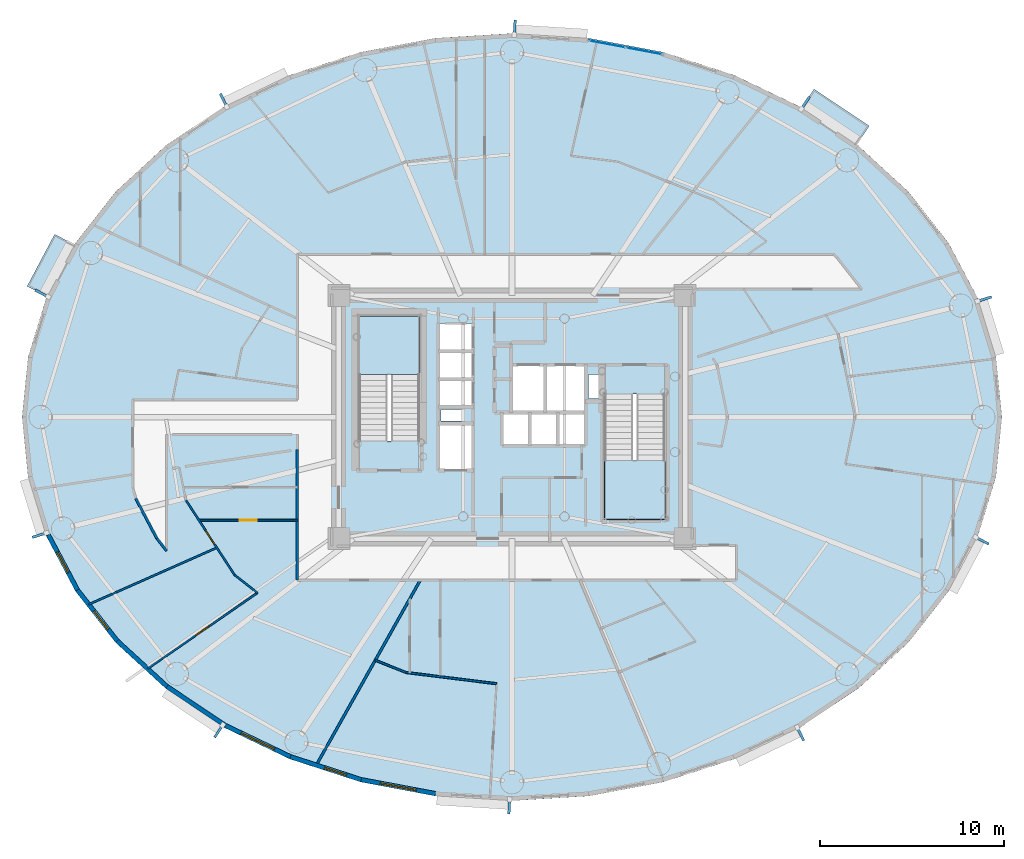
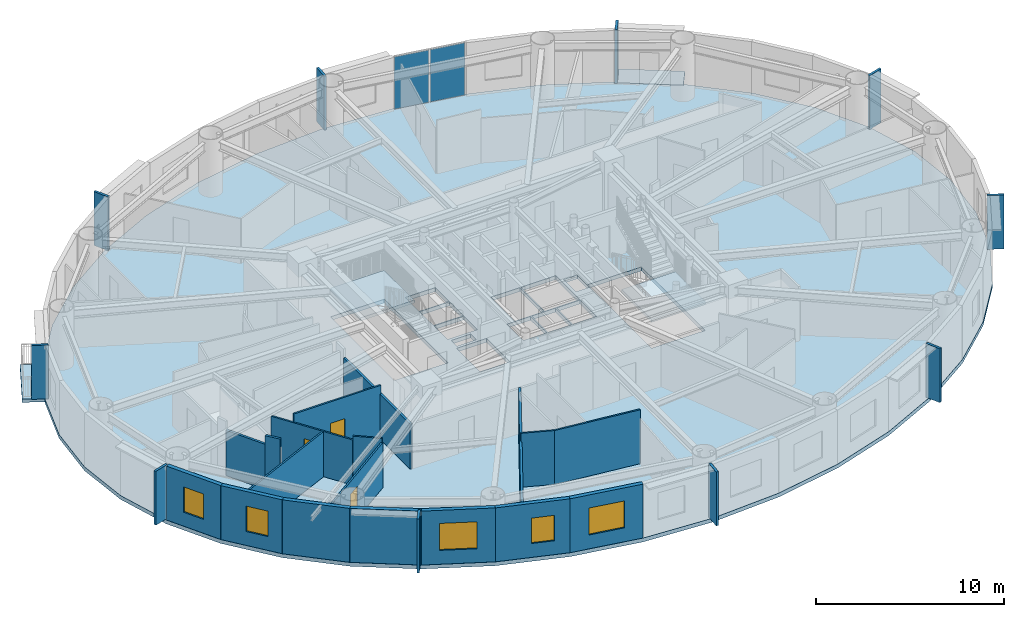
# One storey, part 7 of 20: 18 walls, 12 plates, 5 slabs, 5 windows, 3 doors, 8 openings, 3 elements without a shape of their own.
"""IFC4 building model written with IfcOpenShell, lengths in metres."""

from ifc_helpers import new_model, si_unit, direction, frame, frame_2d, origin, origin_2d, place, context, subcontext, project, spatial, polyline, rectangle, outline, extrude, source, transform, mapped, material, layer, layer_set, type_object, element, fill, aggregate, save


model = new_model("IFC4")

# Units and contexts
model_context = context("Model", 3, precision=1e-05, world=origin(), true_north=direction((0.0, 1.0)))
body_context = subcontext(model_context, "Body", "Model", "MODEL_VIEW")
ifc_project = project(units=[si_unit("LENGTHUNIT", "METRE"), si_unit("AREAUNIT", "SQUARE_METRE"), si_unit("VOLUMEUNIT", "CUBIC_METRE"), si_unit("PLANEANGLEUNIT", "RADIAN"), si_unit("MASSUNIT", "GRAM", prefix="KILO")], contexts=[model_context])

# Site, building, storey
site_placement = place(None, origin())
site = spatial("IfcSite", under=ifc_project, at=site_placement, CompositionType="ELEMENT")
building_placement = place(site_placement, origin())
building = spatial("IfcBuilding", under=site, at=building_placement, Name="Linh Dai School and Residence Tower", CompositionType="ELEMENT")
storey_placement = place(building_placement, frame((0.0, 0.0, 163.64990234375)))
storey = spatial("IfcBuildingStorey", under=building, at=storey_placement, Name="L39", CompositionType="ELEMENT", Elevation=163.64990234375)

# Slabs
ifc_material_1 = material(Name="Concrete B45 (C35/45)", Category="concrete")
ifc_layer_1 = layer(ifc_material_1, 0.219970703125)
ifc_layer_set_1 = layer_set([ifc_layer_1], Name="Concrete B45 (C35/45)")
slab_type_1 = type_object("IfcSlabType", Name="SLB-BALC-220", PredefinedType="FLOOR", material=ifc_layer_set_1)
slab_1_placement = place(storey_placement, frame((0.0, 0.0, -0.219970703125)))
element("IfcSlab", 1, at=slab_1_placement, inside=storey, type_object=slab_type_1, Name="L39 Sliding Balcony Slab 06", PredefinedType="FLOOR", context=body_context, shape_type="SweptSolid", body=[
    extrude(outline(polyline([(51.681396484375, 43.72509765625), (54.673828125, 41.7236328125), (55.396484375, 42.80419921875), (52.404052734375, 44.8056640625), (51.681396484375, 43.72509765625)])), origin(), (0.0, 0.0, 1.0), 0.219970703125),
])
slab_2_placement = place(storey_placement, frame((0.0, 0.0, -0.219970703125)))
element("IfcSlab", 2, at=slab_2_placement, inside=storey, type_object=slab_type_1, Name="L39 Sliding Balcony Slab 18", PredefinedType="FLOOR", context=body_context, shape_type="SweptSolid", body=[
    extrude(outline(polyline([(10.82421875, 33.498291015625), (12.3173828125, 36.321044921875), (11.168212890625, 36.928955078125), (9.67529296875, 34.106201171875), (10.82421875, 33.498291015625)])), origin(), (0.0, 0.0, 1.0), 0.219970703125),
])
ifc_layer_2 = layer(ifc_material_1, 0.25)
ifc_layer_set_2 = layer_set([ifc_layer_2], Name="Concrete B45 (C35/45)")
slab_type_2 = type_object("IfcSlabType", Name="SLB-FLR250", PredefinedType="FLOOR", material=ifc_layer_set_2)
slab_3_placement = place(storey_placement, frame((0.0, 0.0, -0.25)))
element("IfcSlab", 3, at=slab_3_placement, inside=storey, type_object=slab_type_2, Name="L39 Composite Structural Floor Slab", PredefinedType="FLOOR", context=body_context, shape_type="SweptSolid", body=[
    extrude(outline(polyline([(62.60009765625, 27.0), (62.2724609375, 30.258544921875), (61.298095703125, 33.436767578125), (59.70068359375, 36.45654296875), (57.519775390625, 39.24365234375), (54.80908203125, 41.72900390625), (51.635009765625, 43.851806640625), (48.076171875, 45.5595703125), (44.219970703125, 46.810546875), (40.1611328125, 47.573486328125), (36.0, 47.830078125), (31.8388671875, 47.573486328125), (27.780029296875, 46.810546875), (23.923828125, 45.5595703125), (20.364990234375, 43.851806640625), (17.19091796875, 41.72900390625), (14.480224609375, 39.24365234375), (12.29931640625, 36.45654296875), (10.701904296875, 33.436767578125), (9.7275390625, 30.258544921875), (9.39990234375, 27.0), (9.7275390625, 23.741455078125), (10.701904296875, 20.563232421875), (12.29931640625, 17.54345703125), (14.480224609375, 14.75634765625), (17.19091796875, 12.27099609375), (20.364990234375, 10.148193359375), (23.923828125, 8.4404296875), (27.780029296875, 7.189453125), (31.8388671875, 6.426513671875), (36.0, 6.169921875), (40.1611328125, 6.426513671875), (44.219970703125, 7.189453125), (48.076171875, 8.4404296875), (51.635009765625, 10.148193359375), (54.80908203125, 12.27099609375), (57.519775390625, 14.75634765625), (59.70068359375, 17.54345703125), (61.298095703125, 20.563232421875), (62.2724609375, 23.741455078125), (62.60009765625, 27.0)]), holes=[polyline([(30.97998046875, 25.699951171875), (30.97998046875, 32.5), (27.679931640625, 32.5), (27.679931640625, 25.699951171875), (30.97998046875, 25.699951171875)]), polyline([(41.02001953125, 28.25), (41.02001953125, 21.449951171875), (44.320068359375, 21.449951171875), (44.320068359375, 28.25), (41.02001953125, 28.25)]), polyline([(35.97998046875, 27.280029296875), (37.77001953125, 27.280029296875), (37.77001953125, 29.820068359375), (35.97998046875, 29.820068359375), (35.97998046875, 27.280029296875)]), polyline([(32.030029296875, 24.1298828125), (33.8701171875, 24.1298828125), (33.8701171875, 26.6201171875), (32.030029296875, 26.6201171875), (32.030029296875, 24.1298828125)]), polyline([(37.830078125, 27.280029296875), (39.969970703125, 27.280029296875), (39.969970703125, 29.820068359375), (37.830078125, 29.820068359375), (37.830078125, 27.280029296875)]), polyline([(32.030029296875, 27.580078125), (33.8701171875, 27.580078125), (33.8701171875, 29.030029296875), (32.030029296875, 29.030029296875), (32.030029296875, 27.580078125)]), polyline([(32.030029296875, 29.090087890625), (33.8701171875, 29.090087890625), (33.8701171875, 30.550048828125), (32.030029296875, 30.550048828125), (32.030029296875, 29.090087890625)]), polyline([(32.030029296875, 30.610107421875), (33.8701171875, 30.610107421875), (33.8701171875, 32.070068359375), (32.030029296875, 32.070068359375), (32.030029296875, 30.610107421875)]), polyline([(35.47998046875, 25.47998046875), (36.929931640625, 25.47998046875), (36.929931640625, 27.219970703125), (35.47998046875, 27.219970703125), (35.47998046875, 25.47998046875)]), polyline([(36.989990234375, 25.47998046875), (38.449951171875, 25.47998046875), (38.449951171875, 27.219970703125), (36.989990234375, 27.219970703125), (36.989990234375, 25.47998046875)]), polyline([(38.510009765625, 25.47998046875), (39.969970703125, 25.47998046875), (39.969970703125, 27.219970703125), (38.510009765625, 27.219970703125), (38.510009765625, 25.47998046875)]), polyline([(40.14990234375, 28.0), (40.14990234375, 29.300048828125), (41.0, 29.300048828125), (41.0, 28.280029296875), (40.989990234375, 28.280029296875), (40.989990234375, 28.0), (40.14990234375, 28.0)]), polyline([(32.14990234375, 26.800048828125), (33.35009765625, 26.800048828125), (33.35009765625, 27.39990234375), (32.14990234375, 27.39990234375), (32.14990234375, 26.800048828125)])]), origin(), (0.0, 0.0, 1.0), 0.25),
])

# Stair, slab
stair_type = type_object("IfcStairType", Name="ST-DOG-1550-R1442", PredefinedType="HALF_TURN_STAIR", material=ifc_material_1)
stair_1_placement = place(storey_placement, origin())
stair_1 = element("IfcStair", 4, at=stair_1_placement, inside=storey, type_object=stair_type, Name="L39 Core Smokeproof Exit Stair ST1", PredefinedType="HALF_TURN_STAIR")
ifc_layer_3 = layer(ifc_material_1, 0.199951171875)
ifc_layer_set_3 = layer_set([ifc_layer_3], Name="Concrete B45 (C35/45)")
slab_type_3 = type_object("IfcSlabType", Name="SLB-ST-LANDING-200", PredefinedType="LANDING", material=ifc_layer_set_3)
slab_4_placement = place(storey_placement, frame((0.0, 0.0, 1.675048828125)))
slab_4 = element("IfcSlab", 5, at=slab_4_placement, type_object=slab_type_3, Name="ST1 landing 1", PredefinedType="LANDING", context=body_context, shape_type="SweptSolid", body=[
    extrude(outline(polyline([(30.97998046875, 29.300048828125), (30.97998046875, 32.5), (27.679931640625, 32.5), (27.679931640625, 29.300048828125), (30.97998046875, 29.300048828125)])), origin(), (0.0, 0.0, 1.0), 0.199951171875),
])
aggregate(stair_1, [slab_4])

stair_2_placement = place(storey_placement, origin())
stair_2 = element("IfcStair", 6, at=stair_2_placement, inside=storey, type_object=stair_type, Name="L39 Core Smokeproof Exit Stair ST2", PredefinedType="HALF_TURN_STAIR")
slab_5_placement = place(storey_placement, frame((0.0, 0.0, 1.675048828125)))
slab_5 = element("IfcSlab", 7, at=slab_5_placement, type_object=slab_type_3, Name="ST2 landing 1", PredefinedType="LANDING", context=body_context, shape_type="SweptSolid", body=[
    extrude(outline(polyline([(41.02001953125, 24.64990234375), (41.02001953125, 21.449951171875), (44.320068359375, 21.449951171875), (44.320068359375, 24.64990234375), (41.02001953125, 24.64990234375)])), origin(), (0.0, 0.0, 1.0), 0.199951171875),
])
aggregate(stair_2, [slab_5])

# Plates
ifc_material_2 = material(Name="Precast Concrete B45 (C35/45)", Category="concrete")
ifc_layer_4 = layer(ifc_material_2, 0.139892578125)
ifc_layer_set_4 = layer_set([ifc_layer_4], Name="Precast Concrete B45 (C35/45)")
plate_type_1 = type_object("IfcPlateType", Name="FIN-TC-900x140", PredefinedType="USERDEFINED", material=ifc_layer_set_4)
shared_shape_1 = source(origin(), body_context, "Body", "SweptSolid", [
    extrude(rectangle(XDim=0.89990234375, YDim=0.139892578125, at=origin_2d()), origin(), (0.0, 0.0, 1.0), 3.5),
])
for number, where, z_axis, x_axis, name in (
    (8, (61.60986328125, 33.394287109375, 0.0), (0.0, 0.0, 1.0), (0.956075055167, 0.293121969301, 0.0), "L39 Precast Terracotta Radial Fin 02"),
    (9, (51.90087890625, 44.017333984375, 0.0), (0.0, 0.0, 1.0), (0.555931154932, 0.831228338651, 0.0), "L39 Precast Terracotta Radial Fin 06"),
    (10, (36.14501953125, 48.10693359375, 0.0), (0.0, 0.0, 1.0), (0.061512376467, 0.99810632076, 0.0), "L39 Precast Terracotta Radial Fin 10"),
    (11, (20.357421875, 44.164794921875, 0.0), (0.0, 0.0, 1.0), (-0.432634701653, 0.901569306779, 0.0), "L39 Precast Terracotta Radial Fin 14"),
    (12, (10.510986328125, 33.686767578125, 0.0), (0.0, 0.0, 1.0), (-0.883950726378, 0.467580060884, 0.0), "L39 Precast Terracotta Radial Fin 18"),
    (13, (10.39013671875, 20.605712890625, 0.0), (0.0, 0.0, 1.0), (-0.956075055167, -0.293121969301, 0.0), "L39 Precast Terracotta Radial Fin 22"),
    (14, (20.09912109375, 9.982666015625, 0.0), (0.0, 0.0, 1.0), (-0.555931154932, -0.831228338651, 0.0), "L39 Precast Terracotta Radial Fin 26"),
    (15, (35.85498046875, 5.89306640625, 0.0), (0.0, 0.0, 1.0), (-0.061512376467, -0.99810632076, 0.0), "L39 Precast Terracotta Radial Fin 30"),
    (16, (51.642578125, 9.835205078125, 0.0), (0.0, 0.0, 1.0), (0.432634701653, -0.901569306779, 0.0), "L39 Precast Terracotta Radial Fin 34"),
    (17, (61.489013671875, 20.313232421875, 0.0), (0.0, 0.0, 1.0), (0.883950726378, -0.467580060884, 0.0), "L39 Precast Terracotta Radial Fin 38"),
):
    element("IfcPlate", number, at=place(storey_placement, frame(where, z_axis=z_axis, x_axis=x_axis)), inside=storey, type_object=plate_type_1, Name=name, ObjectType="RADIAL FIN", PredefinedType="USERDEFINED", context=body_context, shape_type="MappedRepresentation", body=[
        mapped(shared_shape_1, transform((0.0, 0.0, 0.0), x_axis=(1.0, 0.0, 0.0), y_axis=(0.0, 1.0, 0.0), z_axis=(0.0, 0.0, 1.0), scale=1.0)),
    ])

# Curtain wall, plates
ifc_material_3 = material(Name="Aluminium Anodised Curtain Wall", Category="aluminium")
ifc_layer_5 = layer(ifc_material_3, 0.14990234375)
ifc_layer_set_5 = layer_set([ifc_layer_5], Name="Aluminium Anodised Curtain Wall")
curtain_wall_type = type_object("IfcCurtainWallType", Name="CW-SYS-4", PredefinedType="USERDEFINED", material=ifc_layer_set_5)
curtain_wall_placement = place(storey_placement, origin())
curtain_wall = element("IfcCurtainWall", 18, at=curtain_wall_placement, inside=storey, type_object=curtain_wall_type, Name="L39 CW4 Curtain Wall 09", ObjectType="RIBBON CURTAIN WALL", PredefinedType="USERDEFINED")
ifc_material_4 = material(Name="Double Low-E Insulated Glazing", Category="glass")
ifc_layer_6 = layer(ifc_material_4, 0.02587890625)
ifc_layer_set_6 = layer_set([ifc_layer_6], Name="Double Low-E Insulated Glazing")
plate_type_2 = type_object("IfcPlateType", Name="CW-SYS-4-PAN", PredefinedType="CURTAIN_PANEL", material=ifc_layer_set_6)
shared_shape_2 = source(origin(), body_context, "Body", "SweptSolid", [
    extrude(rectangle(XDim=1.97900390625, YDim=0.02587890625, at=origin_2d()), origin(), (0.0, 0.0, 1.0), 3.39599609375),
])
plate_1_placement = place(storey_placement, frame((41.16943359375, 47.257080078125, 0.052001953125), z_axis=(0.0, 0.0, 1.0), x_axis=(0.982783192645, -0.184762540184, 0.0)))
plate_1 = element("IfcPlate", 19, at=plate_1_placement, type_object=plate_type_2, Name="CW4 panel 1.1", PredefinedType="CURTAIN_PANEL", context=body_context, shape_type="MappedRepresentation", body=[
    mapped(shared_shape_2, transform((0.0, 0.0, 0.0), x_axis=(1.0, 0.0, 0.0), y_axis=(0.0, 1.0, 0.0), z_axis=(0.0, 0.0, 1.0), scale=1.0)),
])
plate_2_placement = place(storey_placement, frame((43.16552734375, 46.8818359375, 0.052001953125), z_axis=(0.0, 0.0, 1.0), x_axis=(0.982783192645, -0.184762540184, 0.0)))
plate_2 = element("IfcPlate", 20, at=plate_2_placement, type_object=plate_type_2, Name="CW4 panel 2.1", PredefinedType="CURTAIN_PANEL", context=body_context, shape_type="MappedRepresentation", body=[
    mapped(shared_shape_2, transform((0.0, 0.0, 0.0), x_axis=(1.0, 0.0, 0.0), y_axis=(0.0, 1.0, 0.0), z_axis=(0.0, 0.0, 1.0), scale=1.0)),
])
aggregate(curtain_wall, [plate_1, plate_2])

# Wall, opening, window
ifc_layer_7 = layer(ifc_material_2, 0.239990234375)
ifc_layer_set_7 = layer_set([ifc_layer_7], Name="Precast Concrete B45 (C35/45)")
wall_type_1 = type_object("IfcWallType", Name="EW-TC-240", PredefinedType="SOLIDWALL", material=ifc_layer_set_7)
wall_1_placement = place(storey_placement, frame((12.404052734375, 17.611572265625, 0.0), z_axis=(0.0, 0.0, 1.0), x_axis=(-0.467586874938, 0.88394712194, 0.0)))
wall_1 = element("IfcWall", 21, at=wall_1_placement, inside=storey, type_object=wall_type_1, Name="L39 Terracotta Exterior Wall 23", PredefinedType="SOLIDWALL", context=body_context, shape_type="SweptSolid", body=[
    extrude(rectangle(XDim=3.393310546875, YDim=0.239990234375, at=frame_2d((1.69677734375, 0.0))), origin(), (0.0, 0.0, 1.0), 3.5),
])
opening_1_placement = place(wall_1_placement, frame((1.07177734375, 0.0, 0.89990234375)))
opening_1 = element("IfcOpeningElement", 22, at=opening_1_placement, cuts=wall_1, Name="Opening W3", PredefinedType="OPENING", context=body_context, shape_type="SweptSolid", body=[
    extrude(rectangle(XDim=1.25, YDim=1.64990234375, at=origin_2d()), frame((0.625, 0.1298828125, 0.824951171875), z_axis=(0.0, -1.0, 0.0), x_axis=(1.0, 0.0, 0.0)), (0.0, 0.0, 1.0), 0.260009765625),
])
window_type_1 = type_object("IfcWindowType", Name="WN-RES-1250x1650", PartitioningType="SINGLE_PANEL", PredefinedType="WINDOW", material=ifc_material_4)
shared_shape_3 = source(origin(), body_context, "Body", "SweptSolid", [
    extrude(rectangle(XDim=1.25, YDim=1.64990234375, at=origin_2d()), frame((0.625, 0.030029296875, 0.824951171875), z_axis=(0.0, -1.0, 0.0), x_axis=(1.0, 0.0, 0.0)), (0.0, 0.0, 1.0), 0.06005859375),
])
window_1_placement = place(opening_1_placement, origin())
window_1 = element("IfcWindow", 23, at=window_1_placement, inside=storey, type_object=window_type_1, Name="L39 Dwelling Window U3905-BD1", OverallHeight=1.64990234375, OverallWidth=1.25, PartitioningType="SINGLE_PANEL", PredefinedType="WINDOW", context=body_context, shape_type="MappedRepresentation", body=[
    mapped(shared_shape_3, transform((0.0, 0.0, 0.0), x_axis=(1.0, 0.0, 0.0), y_axis=(0.0, 1.0, 0.0), z_axis=(0.0, 0.0, 1.0), scale=1.0)),
])
fill(opening_1, window_1)

wall_2_placement = place(storey_placement, frame((14.57177734375, 14.841552734375, 0.0), z_axis=(0.0, 0.0, 1.0), x_axis=(-0.616287674549, 0.787521112224, 0.0)))
wall_2 = element("IfcWall", 24, at=wall_2_placement, inside=storey, type_object=wall_type_1, Name="L39 Terracotta Exterior Wall 24", PredefinedType="SOLIDWALL", context=body_context, shape_type="SweptSolid", body=[
    extrude(rectangle(XDim=3.517333984375, YDim=0.239990234375, at=frame_2d((1.7587890625, 0.0))), origin(), (0.0, 0.0, 1.0), 3.5),
])
opening_2_placement = place(wall_2_placement, frame((0.81640625, 0.0, 0.89990234375)))
opening_2 = element("IfcOpeningElement", 25, at=opening_2_placement, cuts=wall_2, Name="Opening W3", PredefinedType="OPENING", context=body_context, shape_type="SweptSolid", body=[
    extrude(rectangle(XDim=1.25, YDim=1.64990234375, at=origin_2d()), frame((0.625, 0.1298828125, 0.824951171875), z_axis=(0.0, -1.0, 0.0), x_axis=(1.0, 0.0, 0.0)), (0.0, 0.0, 1.0), 0.260009765625),
])
window_2_placement = place(opening_2_placement, origin())
window_2 = element("IfcWindow", 26, at=window_2_placement, inside=storey, type_object=window_type_1, Name="L39 Exterior Window 24.1", OverallHeight=1.64990234375, OverallWidth=1.25, PartitioningType="SINGLE_PANEL", PredefinedType="WINDOW", context=body_context, shape_type="MappedRepresentation", body=[
    mapped(shared_shape_3, transform((0.0, 0.0, 0.0), x_axis=(1.0, 0.0, 0.0), y_axis=(0.0, 1.0, 0.0), z_axis=(0.0, 0.0, 1.0), scale=1.0)),
])
fill(opening_2, window_2)

# Walls
wall_3_placement = place(storey_placement, frame((17.26806640625, 12.369384765625, 0.0), z_axis=(0.0, 0.0, 1.0), x_axis=(-0.737076565834, 0.675809245349, 0.0)))
element("IfcWall", 27, at=wall_3_placement, inside=storey, type_object=wall_type_1, Name="L39 Terracotta Exterior Wall 25", PredefinedType="SOLIDWALL", context=body_context, shape_type="SweptSolid", body=[
    extrude(rectangle(XDim=3.658203125, YDim=0.239990234375, at=frame_2d((1.8291015625, 0.0))), origin(), (0.0, 0.0, 1.0), 3.5),
])
wall_4_placement = place(storey_placement, frame((20.4267578125, 10.2568359375, 0.0), z_axis=(0.0, 0.0, 1.0), x_axis=(-0.831228998277, 0.555930168657, 0.0)))
element("IfcWall", 28, at=wall_4_placement, inside=storey, type_object=wall_type_1, Name="L39 Terracotta Exterior Wall 26", PredefinedType="SOLIDWALL", context=body_context, shape_type="SweptSolid", body=[
    extrude(rectangle(XDim=3.800048828125, YDim=0.239990234375, at=frame_2d((1.89990234375, 0.0))), origin(), (0.0, 0.0, 1.0), 3.5),
])

# Wall, opening, window
wall_5_placement = place(storey_placement, frame((23.97021484375, 8.556396484375, 0.0), z_axis=(0.0, 0.0, 1.0), x_axis=(-0.901564733809, 0.432644231155, 0.0)))
wall_5 = element("IfcWall", 29, at=wall_5_placement, inside=storey, type_object=wall_type_1, Name="L39 Terracotta Exterior Wall 27", PredefinedType="SOLIDWALL", context=body_context, shape_type="SweptSolid", body=[
    extrude(rectangle(XDim=3.930419921875, YDim=0.239990234375, at=frame_2d((1.96533203125, 0.0))), origin(), (0.0, 0.0, 1.0), 3.5),
])
opening_3_placement = place(wall_5_placement, frame((0.965087890625, 0.0, 0.89990234375)))
opening_3 = element("IfcOpeningElement", 30, at=opening_3_placement, cuts=wall_5, Name="Opening W1", PredefinedType="OPENING", context=body_context, shape_type="SweptSolid", body=[
    extrude(rectangle(XDim=2.0, YDim=1.75, at=origin_2d()), frame((1.0, 0.1298828125, 0.875), z_axis=(0.0, -1.0, 0.0), x_axis=(1.0, 0.0, 0.0)), (0.0, 0.0, 1.0), 0.260009765625),
])
window_type_2 = type_object("IfcWindowType", Name="WN-RES-2000x1750", PartitioningType="DOUBLE_PANEL_VERTICAL", PredefinedType="WINDOW", material=ifc_material_4)
shared_shape_4 = source(origin(), body_context, "Body", "SweptSolid", [
    extrude(rectangle(XDim=2.0, YDim=1.75, at=origin_2d()), frame((1.0, 0.030029296875, 0.875), z_axis=(0.0, -1.0, 0.0), x_axis=(1.0, 0.0, 0.0)), (0.0, 0.0, 1.0), 0.06005859375),
])
window_3_placement = place(opening_3_placement, origin())
window_3 = element("IfcWindow", 31, at=window_3_placement, inside=storey, type_object=window_type_2, Name="L39 Exterior Window 27.1", OverallHeight=1.75, OverallWidth=2.0, PartitioningType="DOUBLE_PANEL_VERTICAL", PredefinedType="WINDOW", context=body_context, shape_type="MappedRepresentation", body=[
    mapped(shared_shape_4, transform((0.0, 0.0, 0.0), x_axis=(1.0, 0.0, 0.0), y_axis=(0.0, 1.0, 0.0), z_axis=(0.0, 0.0, 1.0), scale=1.0)),
])
fill(opening_3, window_3)

wall_6_placement = place(storey_placement, frame((27.81103515625, 7.310546875, 0.0), z_axis=(0.0, 0.0, 1.0), x_axis=(-0.951209870236, 0.30854462038, 0.0)))
wall_6 = element("IfcWall", 32, at=wall_6_placement, inside=storey, type_object=wall_type_1, Name="L39 Terracotta Exterior Wall 28", PredefinedType="SOLIDWALL", context=body_context, shape_type="SweptSolid", body=[
    extrude(rectangle(XDim=4.037841796875, YDim=0.239990234375, at=frame_2d((2.01904296875, 0.0))), origin(), (0.0, 0.0, 1.0), 3.5),
])
opening_4_placement = place(wall_6_placement, frame((0.837890625, 0.0, 0.89990234375)))
opening_4 = element("IfcOpeningElement", 33, at=opening_4_placement, cuts=wall_6, Name="Opening W3", PredefinedType="OPENING", context=body_context, shape_type="SweptSolid", body=[
    extrude(rectangle(XDim=1.25, YDim=1.64990234375, at=origin_2d()), frame((0.625, 0.1298828125, 0.824951171875), z_axis=(0.0, -1.0, 0.0), x_axis=(1.0, 0.0, 0.0)), (0.0, 0.0, 1.0), 0.260009765625),
])
window_4_placement = place(opening_4_placement, origin())
window_4 = element("IfcWindow", 34, at=window_4_placement, inside=storey, type_object=window_type_1, Name="L39 Exterior Window 28.1", OverallHeight=1.64990234375, OverallWidth=1.25, PartitioningType="SINGLE_PANEL", PredefinedType="WINDOW", context=body_context, shape_type="MappedRepresentation", body=[
    mapped(shared_shape_3, transform((0.0, 0.0, 0.0), x_axis=(1.0, 0.0, 0.0), y_axis=(0.0, 1.0, 0.0), z_axis=(0.0, 0.0, 1.0), scale=1.0)),
])
fill(opening_4, window_4)

wall_7_placement = place(storey_placement, frame((31.854248046875, 6.550537109375, 0.0), z_axis=(0.0, 0.0, 1.0), x_axis=(-0.982788108205, 0.184736391573, 0.0)))
wall_7 = element("IfcWall", 35, at=wall_7_placement, inside=storey, type_object=wall_type_1, Name="L39 Terracotta Exterior Wall 29", PredefinedType="SOLIDWALL", context=body_context, shape_type="SweptSolid", body=[
    extrude(rectangle(XDim=4.114013671875, YDim=0.239990234375, at=frame_2d((2.05712890625, 0.0))), origin(), (0.0, 0.0, 1.0), 3.5),
])
opening_5_placement = place(wall_7_placement, frame((1.056884765625, 0.0, 0.89990234375)))
opening_5 = element("IfcOpeningElement", 36, at=opening_5_placement, cuts=wall_7, Name="Opening W1", PredefinedType="OPENING", context=body_context, shape_type="SweptSolid", body=[
    extrude(rectangle(XDim=2.0, YDim=1.75, at=origin_2d()), frame((1.0, 0.1298828125, 0.875), z_axis=(0.0, -1.0, 0.0), x_axis=(1.0, 0.0, 0.0)), (0.0, 0.0, 1.0), 0.260009765625),
])
window_5_placement = place(opening_5_placement, origin())
window_5 = element("IfcWindow", 37, at=window_5_placement, inside=storey, type_object=window_type_2, Name="L39 Exterior Window 29.1", OverallHeight=1.75, OverallWidth=2.0, PartitioningType="DOUBLE_PANEL_VERTICAL", PredefinedType="WINDOW", context=body_context, shape_type="MappedRepresentation", body=[
    mapped(shared_shape_4, transform((0.0, 0.0, 0.0), x_axis=(1.0, 0.0, 0.0), y_axis=(0.0, 1.0, 0.0), z_axis=(0.0, 0.0, 1.0), scale=1.0)),
])
fill(opening_5, window_5)

# Walls
ifc_material_5 = material(Name="Autoclaved Aerated Concrete Blockwork", Category="masonry")
ifc_layer_8 = layer(ifc_material_5, 0.135009765625)
ifc_layer_set_8 = layer_set([ifc_layer_8], Name="Autoclaved Aerated Concrete Blockwork")
wall_type_2 = type_object("IfcWallType", Name="IW-CORR-135-EI90", PredefinedType="PARTITIONING", material=ifc_layer_set_8)
wall_8_placement = place(storey_placement, frame((15.57421875, 22.577880859375, 0.0), z_axis=(0.0, 0.0, 1.0), x_axis=(0.46757196543, -0.883955008552, 0.0)))
element("IfcWall", 38, at=wall_8_placement, inside=storey, type_object=wall_type_2, Name="L39 Interior Partition Wall 007", PredefinedType="PARTITIONING", context=body_context, shape_type="SweptSolid", body=[
    extrude(rectangle(XDim=2.451416015625, YDim=0.135009765625, at=frame_2d((1.2255859375, 0.0))), origin(), (0.0, 0.0, 1.0), 2.93505859375),
])
wall_9_placement = place(storey_placement, frame((16.720458984375, 20.410888671875, 0.0), z_axis=(0.0, 0.0, 1.0), x_axis=(0.616377221056, -0.787451027914, 0.0)))
element("IfcWall", 39, at=wall_9_placement, inside=storey, type_object=wall_type_2, Name="L39 Interior Partition Wall 010", PredefinedType="PARTITIONING", context=body_context, shape_type="SweptSolid", body=[
    extrude(rectangle(XDim=0.859130859375, YDim=0.135009765625, at=frame_2d((0.4296875, 0.0))), origin(), (0.0, 0.0, 1.0), 3.5),
])
wall_10_placement = place(storey_placement, frame((24.35009765625, 18.14990234375, 0.0), z_axis=(0.0, 0.0, 1.0), x_axis=(0.0, 1.0, 0.0)))
element("IfcWall", 40, at=wall_10_placement, inside=storey, type_object=wall_type_2, Name="L39 Interior Partition Wall 023", PredefinedType="PARTITIONING", context=body_context, shape_type="SweptSolid", body=[
    extrude(rectangle(XDim=7.087646484375, YDim=0.135009765625, at=frame_2d((3.5439453125, 0.0))), origin(), (0.0, 0.0, 1.0), 2.93505859375),
])
wall_11_placement = place(storey_placement, frame((25.37060546875, 8.096923828125, 0.0), z_axis=(0.0, 0.0, 1.0), x_axis=(0.49013158602, 0.871648454588, 0.0)))
element("IfcWall", 41, at=wall_11_placement, inside=storey, type_object=wall_type_2, Name="L39 Interior Partition Wall 027", PredefinedType="PARTITIONING", context=body_context, shape_type="SweptSolid", body=[
    extrude(rectangle(XDim=11.533203125, YDim=0.135009765625, at=frame_2d((5.7666015625, 0.0))), origin(), (0.0, 0.0, 1.0), 2.93505859375),
])
ifc_material_6 = material(Name="Gypsum Plasterboard Acoustic Stud Partition", Category="masonry")
ifc_layer_9 = layer(ifc_material_6, 0.10009765625)
ifc_layer_set_9 = layer_set([ifc_layer_9], Name="Gypsum Plasterboard Acoustic Stud Partition")
wall_type_3 = type_object("IfcWallType", Name="IW-UNIT-100", PredefinedType="PARTITIONING", material=ifc_layer_set_9)
wall_12_placement = place(storey_placement, frame((13.01171875, 16.826904296875, 0.0), z_axis=(0.0, 0.0, 1.0), x_axis=(0.914460954348, 0.404674144185, 0.0)))
element("IfcWall", 42, at=wall_12_placement, inside=storey, type_object=wall_type_3, Name="L39 Interior Partition Wall 002", PredefinedType="PARTITIONING", context=body_context, shape_type="SweptSolid", body=[
    extrude(rectangle(XDim=7.61376953125, YDim=0.10009765625, at=frame_2d((3.806884765625, 0.0))), origin(), (0.0, 0.0, 1.0), 2.93505859375),
])

# Wall, opening, door
wall_13_placement = place(storey_placement, frame((16.208984375, 13.33349609375, 0.0), z_axis=(0.0, 0.0, 1.0), x_axis=(0.82287966827, 0.568215673444, 0.0)))
wall_13 = element("IfcWall", 43, at=wall_13_placement, inside=storey, type_object=wall_type_3, Name="L39 Interior Partition Wall 009", PredefinedType="PARTITIONING", context=body_context, shape_type="SweptSolid", body=[
    extrude(rectangle(XDim=7.25537109375, YDim=0.10009765625, at=frame_2d((3.627685546875, 0.0))), origin(), (0.0, 0.0, 1.0), 2.93505859375),
])
opening_6_placement = place(wall_13_placement, frame((3.177490234375, 0.0, 0.0)))
opening_6 = element("IfcOpeningElement", 44, at=opening_6_placement, cuts=wall_13, Name="Opening D05", PredefinedType="OPENING", context=body_context, shape_type="SweptSolid", body=[
    extrude(rectangle(XDim=0.89990234375, YDim=2.10009765625, at=origin_2d()), frame((0.449951171875, 0.06005859375, 1.050048828125), z_axis=(0.0, -1.0, 0.0), x_axis=(1.0, 0.0, 0.0)), (0.0, 0.0, 1.0), 0.1201171875),
])
ifc_material_7 = material(Name="Engineered Timber Internal Door", Category="wood")
door_type = type_object("IfcDoorType", Name="DR-INT-900x2100", OperationType="NOTDEFINED", PredefinedType="DOOR", material=ifc_material_7)
shared_shape_5 = source(origin(), body_context, "Body", "SweptSolid", [
    extrude(rectangle(XDim=0.89990234375, YDim=2.10009765625, at=origin_2d()), frame((0.449951171875, 0.02490234375, 1.050048828125), z_axis=(0.0, -1.0, 0.0), x_axis=(1.0, 0.0, 0.0)), (0.0, 0.0, 1.0), 0.050048828125),
])
door_1_placement = place(opening_6_placement, origin())
door_1 = element("IfcDoor", 45, at=door_1_placement, inside=storey, type_object=door_type, Name="L39 Apartment U3905 Study Door", OperationType="SINGLE_SWING_RIGHT", OverallHeight=2.10009765625, OverallWidth=0.89990234375, PredefinedType="DOOR", context=body_context, shape_type="MappedRepresentation", body=[
    mapped(shared_shape_5, transform((0.0, 0.0, 0.0), x_axis=(1.0, 0.0, 0.0), y_axis=(0.0, 1.0, 0.0), z_axis=(0.0, 0.0, 1.0), scale=1.0)),
])
fill(opening_6, door_1)

wall_14_placement = place(storey_placement, frame((18.291259765625, 22.494140625, 0.0), z_axis=(0.0, 0.0, 1.0), x_axis=(0.545405921784, -0.838172047066, 0.0)))
wall_14 = element("IfcWall", 46, at=wall_14_placement, inside=storey, type_object=wall_type_3, Name="L39 Interior Partition Wall 017", PredefinedType="PARTITIONING", context=body_context, shape_type="SweptSolid", body=[
    extrude(rectangle(XDim=4.84912109375, YDim=0.10009765625, at=frame_2d((2.424560546875, 0.0))), origin(), (0.0, 0.0, 1.0), 2.93505859375),
])
opening_7_placement = place(wall_14_placement, frame((1.96240234375, 0.0, 0.0)))
opening_7 = element("IfcOpeningElement", 47, at=opening_7_placement, cuts=wall_14, Name="Opening D05", PredefinedType="OPENING", context=body_context, shape_type="SweptSolid", body=[
    extrude(rectangle(XDim=0.89990234375, YDim=2.10009765625, at=origin_2d()), frame((0.449951171875, 0.06005859375, 1.050048828125), z_axis=(0.0, -1.0, 0.0), x_axis=(1.0, 0.0, 0.0)), (0.0, 0.0, 1.0), 0.1201171875),
])
door_2_placement = place(opening_7_placement, origin())
door_2 = element("IfcDoor", 48, at=door_2_placement, inside=storey, type_object=door_type, Name="L39 Apartment U3905 Principal Bedroom 1 Door", OperationType="SINGLE_SWING_LEFT", OverallHeight=2.10009765625, OverallWidth=0.89990234375, PredefinedType="DOOR", context=body_context, shape_type="MappedRepresentation", body=[
    mapped(shared_shape_5, transform((0.0, 0.0, 0.0), x_axis=(1.0, 0.0, 0.0), y_axis=(0.0, 1.0, 0.0), z_axis=(0.0, 0.0, 1.0), scale=1.0)),
])
fill(opening_7, door_2)

wall_15_placement = place(storey_placement, frame((19.00537109375, 21.396728515625, 0.0), z_axis=(0.0, 0.0, 1.0), x_axis=(1.0, 0.0, 0.0)))
wall_15 = element("IfcWall", 49, at=wall_15_placement, inside=storey, type_object=wall_type_3, Name="L39 Interior Partition Wall 018", PredefinedType="PARTITIONING", context=body_context, shape_type="SweptSolid", body=[
    extrude(rectangle(XDim=5.3447265625, YDim=0.10009765625, at=frame_2d((2.67236328125, 0.0))), origin(), (0.0, 0.0, 1.0), 3.5),
])
opening_8_placement = place(wall_15_placement, frame((2.222412109375, 0.0, 0.0)))
opening_8 = element("IfcOpeningElement", 50, at=opening_8_placement, cuts=wall_15, Name="Opening D05", PredefinedType="OPENING", context=body_context, shape_type="SweptSolid", body=[
    extrude(rectangle(XDim=0.89990234375, YDim=2.10009765625, at=origin_2d()), frame((0.449951171875, 0.06005859375, 1.050048828125), z_axis=(0.0, -1.0, 0.0), x_axis=(1.0, 0.0, 0.0)), (0.0, 0.0, 1.0), 0.1201171875),
])
door_3_placement = place(opening_8_placement, origin())
door_3 = element("IfcDoor", 51, at=door_3_placement, inside=storey, type_object=door_type, Name="L39 Apartment U3905 Kitchen Door", OperationType="SINGLE_SWING_LEFT", OverallHeight=2.10009765625, OverallWidth=0.89990234375, PredefinedType="DOOR", context=body_context, shape_type="MappedRepresentation", body=[
    mapped(shared_shape_5, transform((0.0, 0.0, 0.0), x_axis=(1.0, 0.0, 0.0), y_axis=(0.0, 1.0, 0.0), z_axis=(0.0, 0.0, 1.0), scale=1.0)),
])
fill(opening_8, door_3)

# Walls
wall_16_placement = place(storey_placement, frame((20.93603515625, 18.429443359375, 0.0), z_axis=(0.0, 0.0, 1.0), x_axis=(0.787358146927, -0.61649586249, 0.0)))
element("IfcWall", 52, at=wall_16_placement, inside=storey, type_object=wall_type_3, Name="L39 Interior Partition Wall 019", PredefinedType="PARTITIONING", context=body_context, shape_type="SweptSolid", body=[
    extrude(rectangle(XDim=1.578857421875, YDim=0.10009765625, at=frame_2d((0.78955078125, 0.0))), origin(), (0.0, 0.0, 1.0), 3.18505859375),
])
wall_17_placement = place(storey_placement, frame((28.576904296875, 13.798583984375, 0.0), z_axis=(0.0, 0.0, 1.0), x_axis=(0.928794890234, -0.370594187591, 0.0)))
element("IfcWall", 53, at=wall_17_placement, inside=storey, type_object=wall_type_3, Name="L39 Interior Partition Wall 030", PredefinedType="PARTITIONING", context=body_context, shape_type="SweptSolid", body=[
    extrude(rectangle(XDim=1.797119140625, YDim=0.10009765625, at=frame_2d((0.8984375, 0.0))), origin(), (0.0, 0.0, 1.0), 3.5),
])
wall_18_placement = place(storey_placement, frame((30.24609375, 13.132568359375, 0.0), z_axis=(0.0, 0.0, 1.0), x_axis=(0.99239956118, -0.1230573483, 0.0)))
element("IfcWall", 54, at=wall_18_placement, inside=storey, type_object=wall_type_3, Name="L39 Interior Partition Wall 031", PredefinedType="PARTITIONING", context=body_context, shape_type="SweptSolid", body=[
    extrude(rectangle(XDim=4.949951171875, YDim=0.10009765625, at=frame_2d((2.47509765625, 0.0))), origin(), (0.0, 0.0, 1.0), 3.5),
])

save(model, "model.ifc")
